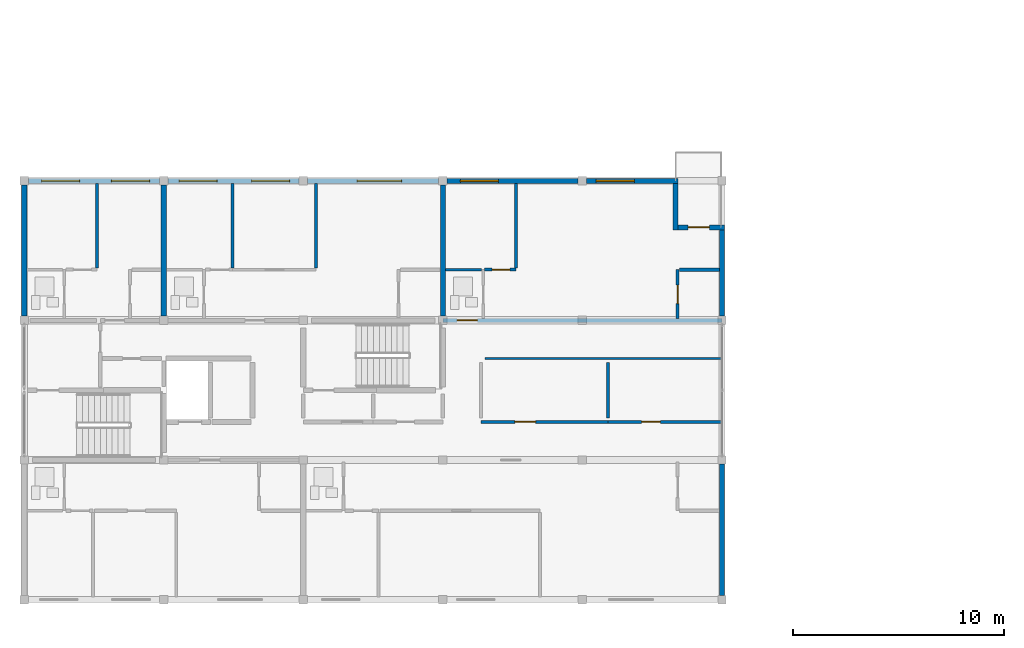
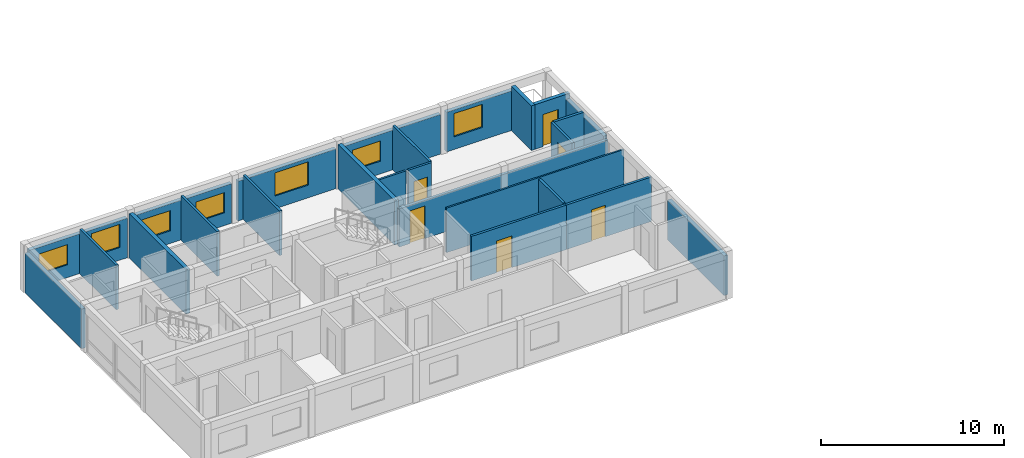
# One storey, part 15 of 23: 25 walls, 7 windows, 6 doors, 13 openings.
"""IFC4 building model written with IfcOpenShell, lengths in metres."""

from ifc_helpers import new_model, si_unit, direction, frame, frame_2d, origin, place, context, subcontext, project, spatial, rectangle, extrude, material, layer, layer_set, type_object, element, fill, save


model = new_model("IFC4")

# Units and contexts
model_context = context("Model", 3, precision=1e-05, world=origin(), true_north=direction((0.0, 1.0)))
body_context = subcontext(model_context, "Body", "Model", "MODEL_VIEW")
ifc_project = project(units=[si_unit("LENGTHUNIT", "METRE"), si_unit("AREAUNIT", "SQUARE_METRE"), si_unit("VOLUMEUNIT", "CUBIC_METRE"), si_unit("PLANEANGLEUNIT", "RADIAN"), si_unit("MASSUNIT", "GRAM", prefix="KILO")], contexts=[model_context])

# Site, building, storey
site_placement = place(None, origin())
site = spatial("IfcSite", under=ifc_project, at=site_placement, CompositionType="ELEMENT")
building_placement = place(site_placement, origin())
building = spatial("IfcBuilding", under=site, at=building_placement, Name="Kernevlak Ridge Housing Community", CompositionType="ELEMENT")
storey_placement = place(building_placement, frame((0.0, 0.0, 46.800048828125)))
storey = spatial("IfcBuildingStorey", under=building, at=storey_placement, Name="L14", CompositionType="ELEMENT", Elevation=46.800048828125)

# Wall, openings, windows
ifc_material_1 = material(Name="Concrete block masonry M10", Category="masonry")
ifc_layer_1 = layer(ifc_material_1, 0.239990234375, Name="Concrete block masonry M10")
ifc_layer_set_1 = layer_set([ifc_layer_1], Name="Concrete block masonry M10")
wall_type_1 = type_object("IfcWallType", Name="EW-06", PredefinedType="STANDARD", material=ifc_layer_set_1)
wall_1_placement = place(storey_placement, frame((15.800048828125, 95.800048828125, 0.0), z_axis=(0.0, 0.0, 1.0), x_axis=(1.0, 0.0, 0.0)))
wall_1 = element("IfcWall", 1, at=wall_1_placement, inside=storey, type_object=wall_type_1, Name="Exterior wall EW-06 L14 226", PredefinedType="STANDARD", context=body_context, shape_type="SweptSolid", body=[
    extrude(rectangle(XDim=6.199951171875, YDim=0.239990234375, at=frame_2d((3.10009765625, 0.0))), origin(), (0.0, 0.0, 1.0), 2.64990234375),
])
opening_1_placement = place(wall_1_placement, frame((0.625, 0.0, 0.85009765625)))
opening_1 = element("IfcOpeningElement", 2, at=opening_1_placement, cuts=wall_1, Name="Opening WT-03", PredefinedType="OPENING", context=body_context, shape_type="SweptSolid", body=[
    extrude(rectangle(XDim=1.800048828125, YDim=1.35009765625, at=frame_2d((0.89990234375, 0.675048828125))), frame((0.0, 0.1298828125, 0.0), z_axis=(0.0, -1.0, 0.0), x_axis=(1.0, 0.0, 0.0)), (0.0, 0.0, 1.0), 0.260009765625),
])
opening_2_placement = place(wall_1_placement, frame((3.925048828125, 0.0, 0.85009765625)))
opening_2 = element("IfcOpeningElement", 3, at=opening_2_placement, cuts=wall_1, Name="Opening WT-04", PredefinedType="OPENING", context=body_context, shape_type="SweptSolid", body=[
    extrude(rectangle(XDim=1.800048828125, YDim=1.550048828125, at=frame_2d((0.89990234375, 0.77490234375))), frame((0.0, 0.1298828125, 0.0), z_axis=(0.0, -1.0, 0.0), x_axis=(1.0, 0.0, 0.0)), (0.0, 0.0, 1.0), 0.260009765625),
])
ifc_material_2 = material(Name="Aluminium EN AW-6060 anodised and laminated glass", Category="aluminium")
window_type_1 = type_object("IfcWindowType", Name="WT-03", PartitioningType="SINGLE_PANEL", PredefinedType="WINDOW", material=ifc_material_2)
window_1_placement = place(opening_1_placement, origin())
window_1 = element("IfcWindow", 4, at=window_1_placement, inside=storey, type_object=window_type_1, Name="Window WT-03 L14 180", OverallHeight=1.35009765625, OverallWidth=1.800048828125, PartitioningType="SINGLE_PANEL", PredefinedType="WINDOW", context=body_context, shape_type="SweptSolid", body=[
    extrude(rectangle(XDim=1.800048828125, YDim=1.35009765625, at=frame_2d((0.89990234375, 0.675048828125))), frame((0.0, 0.030029296875, 0.0), z_axis=(0.0, -1.0, 0.0), x_axis=(1.0, 0.0, 0.0)), (0.0, 0.0, 1.0), 0.06005859375),
])
fill(opening_1, window_1)
window_type_2 = type_object("IfcWindowType", Name="WT-04", PartitioningType="SINGLE_PANEL", PredefinedType="WINDOW", material=ifc_material_2)
window_2_placement = place(opening_2_placement, origin())
window_2 = element("IfcWindow", 5, at=window_2_placement, inside=storey, type_object=window_type_2, Name="Window WT-04 L14 181", OverallHeight=1.550048828125, OverallWidth=1.800048828125, PartitioningType="SINGLE_PANEL", PredefinedType="WINDOW", context=body_context, shape_type="SweptSolid", body=[
    extrude(rectangle(XDim=1.800048828125, YDim=1.550048828125, at=frame_2d((0.89990234375, 0.77490234375))), frame((0.0, 0.030029296875, 0.0), z_axis=(0.0, -1.0, 0.0), x_axis=(1.0, 0.0, 0.0)), (0.0, 0.0, 1.0), 0.06005859375),
])
fill(opening_2, window_2)

wall_2_placement = place(storey_placement, frame((22.39990234375, 95.800048828125, 0.0), z_axis=(0.0, 0.0, 1.0), x_axis=(1.0, 0.0, 0.0)))
wall_2 = element("IfcWall", 6, at=wall_2_placement, inside=storey, type_object=wall_type_1, Name="Exterior wall EW-06 L14 227", PredefinedType="STANDARD", context=body_context, shape_type="SweptSolid", body=[
    extrude(rectangle(XDim=6.2001953125, YDim=0.239990234375, at=frame_2d((3.10009765625, 0.0))), origin(), (0.0, 0.0, 1.0), 2.64990234375),
])
opening_3_placement = place(wall_2_placement, frame((0.52490234375, 0.0, 0.85009765625)))
opening_3 = element("IfcOpeningElement", 7, at=opening_3_placement, cuts=wall_2, Name="Opening WT-03", PredefinedType="OPENING", context=body_context, shape_type="SweptSolid", body=[
    extrude(rectangle(XDim=1.800048828125, YDim=1.35009765625, at=frame_2d((0.89990234375, 0.675048828125))), frame((0.0, 0.1298828125, 0.0), z_axis=(0.0, -1.0, 0.0), x_axis=(1.0, 0.0, 0.0)), (0.0, 0.0, 1.0), 0.260009765625),
])
opening_4_placement = place(wall_2_placement, frame((3.949951171875, 0.0, 0.85009765625)))
opening_4 = element("IfcOpeningElement", 8, at=opening_4_placement, cuts=wall_2, Name="Opening WT-03", PredefinedType="OPENING", context=body_context, shape_type="SweptSolid", body=[
    extrude(rectangle(XDim=1.800048828125, YDim=1.35009765625, at=frame_2d((0.89990234375, 0.675048828125))), frame((0.0, 0.1298828125, 0.0), z_axis=(0.0, -1.0, 0.0), x_axis=(1.0, 0.0, 0.0)), (0.0, 0.0, 1.0), 0.260009765625),
])
window_3_placement = place(opening_3_placement, origin())
window_3 = element("IfcWindow", 9, at=window_3_placement, inside=storey, type_object=window_type_1, Name="Window WT-03 L14 182", OverallHeight=1.35009765625, OverallWidth=1.800048828125, PartitioningType="SINGLE_PANEL", PredefinedType="WINDOW", context=body_context, shape_type="SweptSolid", body=[
    extrude(rectangle(XDim=1.800048828125, YDim=1.35009765625, at=frame_2d((0.89990234375, 0.675048828125))), frame((0.0, 0.030029296875, 0.0), z_axis=(0.0, -1.0, 0.0), x_axis=(1.0, 0.0, 0.0)), (0.0, 0.0, 1.0), 0.06005859375),
])
fill(opening_3, window_3)
window_4_placement = place(opening_4_placement, origin())
window_4 = element("IfcWindow", 10, at=window_4_placement, inside=storey, type_object=window_type_1, Name="Window WT-03 L14 183", OverallHeight=1.35009765625, OverallWidth=1.800048828125, PartitioningType="SINGLE_PANEL", PredefinedType="WINDOW", context=body_context, shape_type="SweptSolid", body=[
    extrude(rectangle(XDim=1.800048828125, YDim=1.35009765625, at=frame_2d((0.89990234375, 0.675048828125))), frame((0.0, 0.030029296875, 0.0), z_axis=(0.0, -1.0, 0.0), x_axis=(1.0, 0.0, 0.0)), (0.0, 0.0, 1.0), 0.06005859375),
])
fill(opening_4, window_4)

# Wall, opening, window
wall_3_placement = place(storey_placement, frame((29.0, 95.800048828125, 0.0), z_axis=(0.0, 0.0, 1.0), x_axis=(1.0, 0.0, 0.0)))
wall_3 = element("IfcWall", 11, at=wall_3_placement, inside=storey, type_object=wall_type_1, Name="Exterior wall EW-06 L14 228", PredefinedType="STANDARD", context=body_context, shape_type="SweptSolid", body=[
    extrude(rectangle(XDim=6.199951171875, YDim=0.239990234375, at=frame_2d((3.10009765625, 0.0))), origin(), (0.0, 0.0, 1.0), 2.64990234375),
])
opening_5_placement = place(wall_3_placement, frame((2.345947265625, 0.0, 0.85009765625)))
opening_5 = element("IfcOpeningElement", 12, at=opening_5_placement, cuts=wall_3, Name="Opening WT-05", PredefinedType="OPENING", context=body_context, shape_type="SweptSolid", body=[
    extrude(rectangle(XDim=2.10009765625, YDim=1.550048828125, at=frame_2d((1.050048828125, 0.77490234375))), frame((0.0, 0.1298828125, 0.0), z_axis=(0.0, -1.0, 0.0), x_axis=(1.0, 0.0, 0.0)), (0.0, 0.0, 1.0), 0.260009765625),
])
window_type_3 = type_object("IfcWindowType", Name="WT-05", PartitioningType="SINGLE_PANEL", PredefinedType="WINDOW", material=ifc_material_2)
window_5_placement = place(opening_5_placement, origin())
window_5 = element("IfcWindow", 13, at=window_5_placement, inside=storey, type_object=window_type_3, Name="Window WT-05 L14 184", OverallHeight=1.550048828125, OverallWidth=2.10009765625, PartitioningType="SINGLE_PANEL", PredefinedType="WINDOW", context=body_context, shape_type="SweptSolid", body=[
    extrude(rectangle(XDim=2.10009765625, YDim=1.550048828125, at=frame_2d((1.050048828125, 0.77490234375))), frame((0.0, 0.030029296875, 0.0), z_axis=(0.0, -1.0, 0.0), x_axis=(1.0, 0.0, 0.0)), (0.0, 0.0, 1.0), 0.06005859375),
])
fill(opening_5, window_5)

wall_4_placement = place(storey_placement, frame((35.60009765625, 95.800048828125, 0.0), z_axis=(0.0, 0.0, 1.0), x_axis=(1.0, 0.0, 0.0)))
wall_4 = element("IfcWall", 14, at=wall_4_placement, inside=storey, type_object=wall_type_1, Name="Exterior wall EW-06 L14 229", PredefinedType="STANDARD", context=body_context, shape_type="SweptSolid", body=[
    extrude(rectangle(XDim=6.199951171875, YDim=0.239990234375, at=frame_2d((3.10009765625, 0.0))), origin(), (0.0, 0.0, 1.0), 2.64990234375),
])
opening_6_placement = place(wall_4_placement, frame((0.625, 0.0, 0.85009765625)))
opening_6 = element("IfcOpeningElement", 15, at=opening_6_placement, cuts=wall_4, Name="Opening WT-03", PredefinedType="OPENING", context=body_context, shape_type="SweptSolid", body=[
    extrude(rectangle(XDim=1.800048828125, YDim=1.35009765625, at=frame_2d((0.89990234375, 0.675048828125))), frame((0.0, 0.1298828125, 0.0), z_axis=(0.0, -1.0, 0.0), x_axis=(1.0, 0.0, 0.0)), (0.0, 0.0, 1.0), 0.260009765625),
])
window_6_placement = place(opening_6_placement, origin())
window_6 = element("IfcWindow", 16, at=window_6_placement, inside=storey, type_object=window_type_1, Name="Window WT-03 L14 185", OverallHeight=1.35009765625, OverallWidth=1.800048828125, PartitioningType="SINGLE_PANEL", PredefinedType="WINDOW", context=body_context, shape_type="SweptSolid", body=[
    extrude(rectangle(XDim=1.800048828125, YDim=1.35009765625, at=frame_2d((0.89990234375, 0.675048828125))), frame((0.0, 0.030029296875, 0.0), z_axis=(0.0, -1.0, 0.0), x_axis=(1.0, 0.0, 0.0)), (0.0, 0.0, 1.0), 0.06005859375),
])
fill(opening_6, window_6)

wall_5_placement = place(storey_placement, frame((42.199951171875, 95.800048828125, 0.0), z_axis=(0.0, 0.0, 1.0), x_axis=(1.0, 0.0, 0.0)))
wall_5 = element("IfcWall", 17, at=wall_5_placement, inside=storey, type_object=wall_type_1, Name="Exterior wall EW-06 L14 230", PredefinedType="STANDARD", context=body_context, shape_type="SweptSolid", body=[
    extrude(rectangle(XDim=4.320068359375, YDim=0.239990234375, at=frame_2d((2.16015625, 0.0))), origin(), (0.0, 0.0, 1.0), 2.64990234375),
])
opening_7_placement = place(wall_5_placement, frame((0.449951171875, 0.0, 0.85009765625)))
opening_7 = element("IfcOpeningElement", 18, at=opening_7_placement, cuts=wall_5, Name="Opening WT-04", PredefinedType="OPENING", context=body_context, shape_type="SweptSolid", body=[
    extrude(rectangle(XDim=1.800048828125, YDim=1.550048828125, at=frame_2d((0.89990234375, 0.77490234375))), frame((0.0, 0.1298828125, 0.0), z_axis=(0.0, -1.0, 0.0), x_axis=(1.0, 0.0, 0.0)), (0.0, 0.0, 1.0), 0.260009765625),
])
window_7_placement = place(opening_7_placement, origin())
window_7 = element("IfcWindow", 19, at=window_7_placement, inside=storey, type_object=window_type_2, Name="Window WT-04 L14 186", OverallHeight=1.550048828125, OverallWidth=1.800048828125, PartitioningType="SINGLE_PANEL", PredefinedType="WINDOW", context=body_context, shape_type="SweptSolid", body=[
    extrude(rectangle(XDim=1.800048828125, YDim=1.550048828125, at=frame_2d((0.89990234375, 0.77490234375))), frame((0.0, 0.030029296875, 0.0), z_axis=(0.0, -1.0, 0.0), x_axis=(1.0, 0.0, 0.0)), (0.0, 0.0, 1.0), 0.06005859375),
])
fill(opening_7, window_7)

# Wall
wall_6_placement = place(storey_placement, frame((46.39990234375, 95.679931640625, 0.0), z_axis=(0.0, 0.0, 1.0), x_axis=(0.0, -1.0, 0.0)))
element("IfcWall", 20, at=wall_6_placement, inside=storey, type_object=wall_type_1, Name="Exterior wall EW-06 L14 231", PredefinedType="STANDARD", context=body_context, shape_type="SweptSolid", body=[
    extrude(rectangle(XDim=2.199951171875, YDim=0.239990234375, at=frame_2d((1.10009765625, 0.0))), origin(), (0.0, 0.0, 1.0), 2.97998046875),
])

# Wall, opening, door
wall_7_placement = place(storey_placement, frame((46.52001953125, 93.60009765625, 0.0), z_axis=(0.0, 0.0, 1.0), x_axis=(1.0, 0.0, 0.0)))
wall_7 = element("IfcWall", 21, at=wall_7_placement, inside=storey, type_object=wall_type_1, Name="Exterior wall EW-06 L14 232", PredefinedType="STANDARD", context=body_context, shape_type="SweptSolid", body=[
    extrude(rectangle(XDim=2.199951171875, YDim=0.239990234375, at=frame_2d((1.10009765625, 0.0))), origin(), (0.0, 0.0, 1.0), 2.97998046875),
])
opening_8_placement = place(wall_7_placement, frame((0.47998046875, 0.0, 0.0)))
opening_8 = element("IfcOpeningElement", 22, at=opening_8_placement, cuts=wall_7, Name="Opening D478", PredefinedType="OPENING", context=body_context, shape_type="SweptSolid", body=[
    extrude(rectangle(XDim=1.0, YDim=2.14990234375, at=frame_2d((0.5, 1.074951171875))), frame((0.0, 0.1298828125, 0.0), z_axis=(0.0, -1.0, 0.0), x_axis=(1.0, 0.0, 0.0)), (0.0, 0.0, 1.0), 0.260009765625),
])
ifc_material_3 = material(Name="Aluminium EN AW-6060 and laminated safety glass", Category="aluminium")
door_type_1 = type_object("IfcDoorType", Name="DT-08", OperationType="NOTDEFINED", PredefinedType="DOOR", material=ifc_material_3)
door_1_placement = place(opening_8_placement, origin())
door_1 = element("IfcDoor", 23, at=door_1_placement, inside=storey, type_object=door_type_1, Name="Flat A1423 corner balcony glazed door D478", OperationType="SINGLE_SWING_RIGHT", OverallHeight=2.14990234375, OverallWidth=1.0, PredefinedType="DOOR", context=body_context, shape_type="SweptSolid", body=[
    extrude(rectangle(XDim=1.0, YDim=2.14990234375, at=frame_2d((0.5, 1.074951171875))), frame((0.0, 0.02490234375, 0.0), z_axis=(0.0, -1.0, 0.0), x_axis=(1.0, 0.0, 0.0)), (0.0, 0.0, 1.0), 0.050048828125),
])
fill(opening_8, door_1)

# Walls
wall_8_placement = place(storey_placement, frame((15.60009765625, 89.39990234375, 0.0), z_axis=(0.0, 0.0, 1.0), x_axis=(0.0, 1.0, 0.0)))
element("IfcWall", 24, at=wall_8_placement, inside=storey, type_object=wall_type_1, Name="Exterior wall EW-06 L14 234", PredefinedType="STANDARD", context=body_context, shape_type="SweptSolid", body=[
    extrude(rectangle(XDim=6.2001953125, YDim=0.239990234375, at=frame_2d((3.10009765625, 0.0))), origin(), (0.0, 0.0, 1.0), 2.64990234375),
])
wall_9_placement = place(storey_placement, frame((48.60009765625, 76.199951171875, 0.0), z_axis=(0.0, 0.0, 1.0), x_axis=(0.0, 1.0, 0.0)))
element("IfcWall", 25, at=wall_9_placement, inside=storey, type_object=wall_type_1, Name="Exterior wall EW-06 L14 235", PredefinedType="STANDARD", context=body_context, shape_type="SweptSolid", body=[
    extrude(rectangle(XDim=6.199951171875, YDim=0.239990234375, at=frame_2d((3.10009765625, 0.0))), origin(), (0.0, 0.0, 1.0), 2.64990234375),
])
wall_10_placement = place(storey_placement, frame((48.60009765625, 89.39990234375, 0.0), z_axis=(0.0, 0.0, 1.0), x_axis=(0.0, 1.0, 0.0)))
element("IfcWall", 26, at=wall_10_placement, inside=storey, type_object=wall_type_1, Name="Exterior wall EW-06 L14 236", PredefinedType="STANDARD", context=body_context, shape_type="SweptSolid", body=[
    extrude(rectangle(XDim=4.080078125, YDim=0.239990234375, at=frame_2d((2.0400390625, 0.0))), origin(), (0.0, 0.0, 1.0), 2.64990234375),
])

# Wall, opening, door
ifc_layer_2 = layer(ifc_material_1, 0.175048828125, Name="Concrete block masonry M10")
ifc_layer_set_2 = layer_set([ifc_layer_2], Name="Concrete block masonry M10")
wall_type_2 = type_object("IfcWallType", Name="PW-02", PredefinedType="PARTITIONING", material=ifc_layer_set_2)
wall_11_placement = place(storey_placement, frame((35.39990234375, 89.199951171875, 0.0), z_axis=(0.0, 0.0, 1.0), x_axis=(1.0, 0.0, 0.0)))
wall_11 = element("IfcWall", 27, at=wall_11_placement, inside=storey, type_object=wall_type_2, Name="Interior wall PW-02 WAL-INT-L14-0938", PredefinedType="PARTITIONING", context=body_context, shape_type="SweptSolid", body=[
    extrude(rectangle(XDim=13.2001953125, YDim=0.175048828125, at=frame_2d((6.60009765625, 0.0))), origin(), (0.0, 0.0, 1.0), 2.550048828125),
])
opening_9_placement = place(wall_11_placement, frame((0.669921875, 0.0, 0.0)))
opening_9 = element("IfcOpeningElement", 28, at=opening_9_placement, cuts=wall_11, Name="Opening D474", PredefinedType="OPENING", context=body_context, shape_type="SweptSolid", body=[
    extrude(rectangle(XDim=0.9599609375, YDim=2.179931640625, at=frame_2d((0.47998046875, 1.08984375))), frame((0.0, 0.097412109375, 0.0), z_axis=(0.0, -1.0, 0.0), x_axis=(1.0, 0.0, 0.0)), (0.0, 0.0, 1.0), 0.195068359375),
])
ifc_material_4 = material(Name="Hardwood timber solid-core fire leaf", Category="wood")
door_type_2 = type_object("IfcDoorType", Name="DT-29", OperationType="NOTDEFINED", PredefinedType="DOOR", material=ifc_material_4)
door_2_placement = place(opening_9_placement, origin())
door_2 = element("IfcDoor", 29, at=door_2_placement, inside=storey, type_object=door_type_2, Name="Flat A1423 entrance fire door D474", OperationType="SINGLE_SWING_RIGHT", OverallHeight=2.179931640625, OverallWidth=0.9599609375, PredefinedType="DOOR", context=body_context, shape_type="SweptSolid", body=[
    extrude(rectangle(XDim=0.9599609375, YDim=2.179931640625, at=frame_2d((0.47998046875, 1.08984375))), frame((0.0, 0.02490234375, 0.0), z_axis=(0.0, -1.0, 0.0), x_axis=(1.0, 0.0, 0.0)), (0.0, 0.0, 1.0), 0.050048828125),
])
fill(opening_9, door_2)

ifc_layer_3 = layer(ifc_material_1, 0.14501953125, Name="Concrete block masonry M10")
ifc_layer_set_3 = layer_set([ifc_layer_3], Name="Concrete block masonry M10")
wall_type_3 = type_object("IfcWallType", Name="PW-03", PredefinedType="PARTITIONING", material=ifc_layer_set_3)
wall_12_placement = place(storey_placement, frame((37.199951171875, 84.39990234375, 0.0), z_axis=(0.0, 0.0, 1.0), x_axis=(1.0, 0.0, 0.0)))
wall_12 = element("IfcWall", 30, at=wall_12_placement, inside=storey, type_object=wall_type_3, Name="Interior wall PW-03 WAL-INT-L14-0898", PredefinedType="PARTITIONING", context=body_context, shape_type="SweptSolid", body=[
    extrude(rectangle(XDim=6.0, YDim=0.14501953125, at=frame_2d((3.0, 0.0))), origin(), (0.0, 0.0, 1.0), 2.97998046875),
])
opening_10_placement = place(wall_12_placement, frame((1.60009765625, 0.0, 0.0)))
opening_10 = element("IfcOpeningElement", 31, at=opening_10_placement, cuts=wall_12, Name="Opening D453", PredefinedType="OPENING", context=body_context, shape_type="SweptSolid", body=[
    extrude(rectangle(XDim=0.97998046875, YDim=2.1201171875, at=frame_2d((0.489990234375, 1.06005859375))), frame((0.0, 0.08251953125, 0.0), z_axis=(0.0, -1.0, 0.0), x_axis=(1.0, 0.0, 0.0)), (0.0, 0.0, 1.0), 0.1650390625),
])
ifc_material_5 = material(Name="Hardwood timber leaf", Category="wood")
door_type_3 = type_object("IfcDoorType", Name="DT-24", OperationType="NOTDEFINED", PredefinedType="DOOR", material=ifc_material_5)
door_3_placement = place(opening_10_placement, origin())
door_3 = element("IfcDoor", 32, at=door_3_placement, inside=storey, type_object=door_type_3, Name="Block A Laundry room door D453", OperationType="SINGLE_SWING_LEFT", OverallHeight=2.1201171875, OverallWidth=0.97998046875, PredefinedType="DOOR", context=body_context, shape_type="SweptSolid", body=[
    extrude(rectangle(XDim=0.97998046875, YDim=2.1201171875, at=frame_2d((0.489990234375, 1.06005859375))), frame((0.0, 0.02490234375, 0.0), z_axis=(0.0, -1.0, 0.0), x_axis=(1.0, 0.0, 0.0)), (0.0, 0.0, 1.0), 0.050048828125),
])
fill(opening_10, door_3)

wall_13_placement = place(storey_placement, frame((43.199951171875, 84.39990234375, 0.0), z_axis=(0.0, 0.0, 1.0), x_axis=(1.0, 0.0, 0.0)))
wall_13 = element("IfcWall", 33, at=wall_13_placement, inside=storey, type_object=wall_type_3, Name="Interior wall PW-03 WAL-INT-L14-0899", PredefinedType="PARTITIONING", context=body_context, shape_type="SweptSolid", body=[
    extrude(rectangle(XDim=5.400146484375, YDim=0.14501953125, at=frame_2d((2.7001953125, 0.0))), origin(), (0.0, 0.0, 1.0), 2.97998046875),
])
opening_11_placement = place(wall_13_placement, frame((1.60009765625, 0.0, 0.0)))
opening_11 = element("IfcOpeningElement", 34, at=opening_11_placement, cuts=wall_13, Name="Opening D454", PredefinedType="OPENING", context=body_context, shape_type="SweptSolid", body=[
    extrude(rectangle(XDim=0.8798828125, YDim=2.10009765625, at=frame_2d((0.43994140625, 1.050048828125))), frame((0.0, 0.08251953125, 0.0), z_axis=(0.0, -1.0, 0.0), x_axis=(1.0, 0.0, 0.0)), (0.0, 0.0, 1.0), 0.1650390625),
])
door_type_4 = type_object("IfcDoorType", Name="DT-25", OperationType="NOTDEFINED", PredefinedType="DOOR", material=ifc_material_5)
door_4_placement = place(opening_11_placement, origin())
door_4 = element("IfcDoor", 35, at=door_4_placement, inside=storey, type_object=door_type_4, Name="Block A Study room door D454", OperationType="SINGLE_SWING_RIGHT", OverallHeight=2.10009765625, OverallWidth=0.8798828125, PredefinedType="DOOR", context=body_context, shape_type="SweptSolid", body=[
    extrude(rectangle(XDim=0.8798828125, YDim=2.10009765625, at=frame_2d((0.43994140625, 1.050048828125))), frame((0.0, 0.02490234375, 0.0), z_axis=(0.0, -1.0, 0.0), x_axis=(1.0, 0.0, 0.0)), (0.0, 0.0, 1.0), 0.050048828125),
])
fill(opening_11, door_4)

# Walls
wall_14_placement = place(storey_placement, frame((43.199951171875, 84.580078125, 0.0), z_axis=(0.0, 0.0, 1.0), x_axis=(0.0, 1.0, 0.0)))
element("IfcWall", 36, at=wall_14_placement, inside=storey, type_object=wall_type_3, Name="Interior wall PW-03 WAL-INT-L14-0900", PredefinedType="PARTITIONING", context=body_context, shape_type="SweptSolid", body=[
    extrude(rectangle(XDim=2.639892578125, YDim=0.14501953125, at=frame_2d((1.31982421875, 0.0))), origin(), (0.0, 0.0, 1.0), 2.97998046875),
])
for number, where, z_axis, x_axis, name in (
    (37, (19.050048828125, 91.6826171875, 0.0), (0.0, 0.0, 1.0), (0.0, 1.0, 0.0), "Interior wall PW-03 WAL-INT-L14-0928"),
    (38, (25.449951171875, 91.6826171875, 0.0), (0.0, 0.0, 1.0), (0.0, 1.0, 0.0), "Interior wall PW-03 WAL-INT-L14-0935"),
):
    element("IfcWall", number, at=place(storey_placement, frame(where, z_axis=z_axis, x_axis=x_axis)), inside=storey, type_object=wall_type_3, Name=name, PredefinedType="PARTITIONING", context=body_context, shape_type="SweptSolid", body=[
        extrude(rectangle(XDim=3.9873046875, YDim=0.14501953125, at=frame_2d((1.99365234375, 0.0))), origin(), (0.0, 0.0, 1.0), 2.97998046875),
    ])
wall_15_placement = place(storey_placement, frame((29.39208984375, 91.679931640625, 0.0), z_axis=(0.0, 0.0, 1.0), x_axis=(0.0, 1.0, 0.0)))
element("IfcWall", 39, at=wall_15_placement, inside=storey, type_object=wall_type_3, Name="Interior wall PW-03 WAL-INT-L14-0937", PredefinedType="PARTITIONING", context=body_context, shape_type="SweptSolid", body=[
    extrude(rectangle(XDim=3.989990234375, YDim=0.14501953125, at=frame_2d((1.9951171875, 0.0))), origin(), (0.0, 0.0, 1.0), 2.97998046875),
])

# Wall, opening, door
wall_16_placement = place(storey_placement, frame((37.37255859375, 91.60009765625, 0.0), z_axis=(0.0, 0.0, 1.0), x_axis=(1.0, 0.0, 0.0)))
wall_16 = element("IfcWall", 40, at=wall_16_placement, inside=storey, type_object=wall_type_3, Name="Interior wall PW-03 WAL-INT-L14-0943", PredefinedType="PARTITIONING", context=body_context, shape_type="SweptSolid", body=[
    extrude(rectangle(XDim=1.4775390625, YDim=0.14501953125, at=frame_2d((0.73876953125, 0.0))), origin(), (0.0, 0.0, 1.0), 2.97998046875),
])
opening_12_placement = place(wall_16_placement, frame((0.35009765625, 0.0, 0.0)))
opening_12 = element("IfcOpeningElement", 41, at=opening_12_placement, cuts=wall_16, Name="Opening D477", PredefinedType="OPENING", context=body_context, shape_type="SweptSolid", body=[
    extrude(rectangle(XDim=0.85009765625, YDim=2.10009765625, at=frame_2d((0.425048828125, 1.050048828125))), frame((0.0, 0.08251953125, 0.0), z_axis=(0.0, -1.0, 0.0), x_axis=(1.0, 0.0, 0.0)), (0.0, 0.0, 1.0), 0.1650390625),
])
door_type_5 = type_object("IfcDoorType", Name="DT-03", OperationType="NOTDEFINED", PredefinedType="DOOR", material=ifc_material_5)
door_5_placement = place(opening_12_placement, origin())
door_5 = element("IfcDoor", 42, at=door_5_placement, inside=storey, type_object=door_type_5, Name="Flat A1423 bedroom door D477", OperationType="SINGLE_SWING_LEFT", OverallHeight=2.10009765625, OverallWidth=0.85009765625, PredefinedType="DOOR", context=body_context, shape_type="SweptSolid", body=[
    extrude(rectangle(XDim=0.85009765625, YDim=2.10009765625, at=frame_2d((0.425048828125, 1.050048828125))), frame((0.0, 0.02490234375, 0.0), z_axis=(0.0, -1.0, 0.0), x_axis=(1.0, 0.0, 0.0)), (0.0, 0.0, 1.0), 0.050048828125),
])
fill(opening_12, door_5)

# Walls
wall_17_placement = place(storey_placement, frame((38.85009765625, 91.6826171875, 0.0), z_axis=(0.0, 0.0, 1.0), x_axis=(0.0, 1.0, 0.0)))
element("IfcWall", 43, at=wall_17_placement, inside=storey, type_object=wall_type_3, Name="Interior wall PW-03 WAL-INT-L14-0944", PredefinedType="PARTITIONING", context=body_context, shape_type="SweptSolid", body=[
    extrude(rectangle(XDim=3.9873046875, YDim=0.14501953125, at=frame_2d((1.99365234375, 0.0))), origin(), (0.0, 0.0, 1.0), 2.97998046875),
])
ifc_material_6 = material(Name="Gypsum plasterboard EN 520", Category="gypsum")
ifc_layer_4 = layer(ifc_material_6, 0.125, Name="Gypsum plasterboard EN 520")
ifc_layer_set_4 = layer_set([ifc_layer_4], Name="Gypsum plasterboard EN 520")
wall_type_4 = type_object("IfcWallType", Name="PW-04", PredefinedType="PARTITIONING", material=ifc_layer_set_4)
wall_18_placement = place(storey_placement, frame((35.534912109375, 91.60009765625, 0.0), z_axis=(0.0, 0.0, 1.0), x_axis=(1.0, 0.0, 0.0)))
element("IfcWall", 44, at=wall_18_placement, inside=storey, type_object=wall_type_4, Name="Interior wall PW-04 WAL-INT-L14-0940", PredefinedType="PARTITIONING", context=body_context, shape_type="SweptSolid", body=[
    extrude(rectangle(XDim=1.68505859375, YDim=0.125, at=frame_2d((0.842529296875, 0.0))), origin(), (0.0, 0.0, 1.0), 2.97998046875),
])

# Wall, opening, door
ifc_layer_5 = layer(ifc_material_6, 0.155029296875, Name="Gypsum plasterboard EN 520")
ifc_layer_set_5 = layer_set([ifc_layer_5], Name="Gypsum plasterboard EN 520")
wall_type_5 = type_object("IfcWallType", Name="PW-05", PredefinedType="PARTITIONING", material=ifc_layer_set_5)
wall_19_placement = place(storey_placement, frame((46.5, 89.297607421875, 0.0), z_axis=(0.0, 0.0, 1.0), x_axis=(0.0, 1.0, 0.0)))
wall_19 = element("IfcWall", 45, at=wall_19_placement, inside=storey, type_object=wall_type_5, Name="Interior wall PW-05 WAL-INT-L14-0941", PredefinedType="PARTITIONING", context=body_context, shape_type="SweptSolid", body=[
    extrude(rectangle(XDim=2.302490234375, YDim=0.155029296875, at=frame_2d((1.1513671875, 0.0))), origin(), (0.0, 0.0, 1.0), 2.97998046875),
])
opening_13_placement = place(wall_19_placement, frame((0.699951171875, 0.0, 0.0)))
opening_13 = element("IfcOpeningElement", 46, at=opening_13_placement, cuts=wall_19, Name="Opening D476", PredefinedType="OPENING", context=body_context, shape_type="SweptSolid", body=[
    extrude(rectangle(XDim=0.8701171875, YDim=2.080078125, at=frame_2d((0.43505859375, 1.0400390625))), frame((0.0, 0.08740234375, 0.0), z_axis=(0.0, -1.0, 0.0), x_axis=(1.0, 0.0, 0.0)), (0.0, 0.0, 1.0), 0.175048828125),
])
door_type_6 = type_object("IfcDoorType", Name="DT-32", OperationType="NOTDEFINED", PredefinedType="DOOR", material=ifc_material_5)
door_6_placement = place(opening_13_placement, origin())
door_6 = element("IfcDoor", 47, at=door_6_placement, inside=storey, type_object=door_type_6, Name="Flat A1423 kitchen door D476", OperationType="SINGLE_SWING_RIGHT", OverallHeight=2.080078125, OverallWidth=0.8701171875, PredefinedType="DOOR", context=body_context, shape_type="SweptSolid", body=[
    extrude(rectangle(XDim=0.8701171875, YDim=2.080078125, at=frame_2d((0.43505859375, 1.0400390625))), frame((0.0, 0.02490234375, 0.0), z_axis=(0.0, -1.0, 0.0), x_axis=(1.0, 0.0, 0.0)), (0.0, 0.0, 1.0), 0.050048828125),
])
fill(opening_13, door_6)

# Walls
wall_20_placement = place(storey_placement, frame((46.58740234375, 91.60009765625, 0.0), z_axis=(0.0, 0.0, 1.0), x_axis=(1.0, 0.0, 0.0)))
element("IfcWall", 48, at=wall_20_placement, inside=storey, type_object=wall_type_5, Name="Interior wall PW-05 WAL-INT-L14-0942", PredefinedType="PARTITIONING", context=body_context, shape_type="SweptSolid", body=[
    extrude(rectangle(XDim=1.882568359375, YDim=0.155029296875, at=frame_2d((0.94140625, 0.0))), origin(), (0.0, 0.0, 1.0), 2.97998046875),
])
ifc_layer_6 = layer(ifc_material_6, 0.10498046875, Name="Gypsum plasterboard EN 520")
ifc_layer_set_6 = layer_set([ifc_layer_6], Name="Gypsum plasterboard EN 520")
wall_type_6 = type_object("IfcWallType", Name="PW-06", PredefinedType="PARTITIONING", material=ifc_layer_set_6)
wall_21_placement = place(storey_placement, frame((37.3798828125, 87.39990234375, 0.0), z_axis=(0.0, 0.0, 1.0), x_axis=(1.0, 0.0, 0.0)))
element("IfcWall", 49, at=wall_21_placement, inside=storey, type_object=wall_type_6, Name="Interior wall PW-06 WAL-INT-L14-0901", PredefinedType="PARTITIONING", context=body_context, shape_type="SweptSolid", body=[
    extrude(rectangle(XDim=11.2001953125, YDim=0.10498046875, at=frame_2d((5.60009765625, 0.0))), origin(), (0.0, 0.0, 1.0), 2.97998046875),
])
ifc_material_7 = material(Name="Concrete C40/50", Category="concrete")
ifc_layer_7 = layer(ifc_material_7, 0.25, Name="Concrete C40/50")
ifc_layer_set_7 = layer_set([ifc_layer_7], Name="Concrete C40/50")
wall_type_7 = type_object("IfcWallType", Name="SW-03", PredefinedType="SHEAR", material=ifc_layer_set_7)
for number, where, z_axis, x_axis, name in (
    (50, (22.199951171875, 89.39990234375, 0.0), (0.0, 0.0, 1.0), (0.0, 1.0, 0.0), "Shear wall SW-03 Block A L14 159"),
    (51, (35.39990234375, 89.39990234375, 0.0), (0.0, 0.0, 1.0), (0.0, 1.0, 0.0), "Shear wall SW-03 Block A L14 160"),
):
    element("IfcWall", number, at=place(storey_placement, frame(where, z_axis=z_axis, x_axis=x_axis)), inside=storey, type_object=wall_type_7, Name=name, PredefinedType="SHEAR", context=body_context, shape_type="SweptSolid", body=[
        extrude(rectangle(XDim=6.2001953125, YDim=0.25, at=frame_2d((3.10009765625, 0.0))), origin(), (0.0, 0.0, 1.0), 2.97998046875),
    ])

save(model, "model.ifc")
